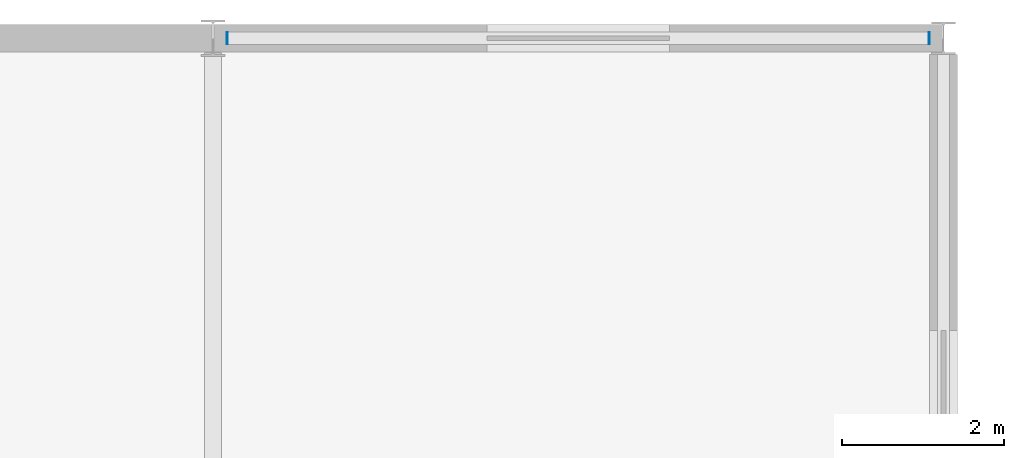
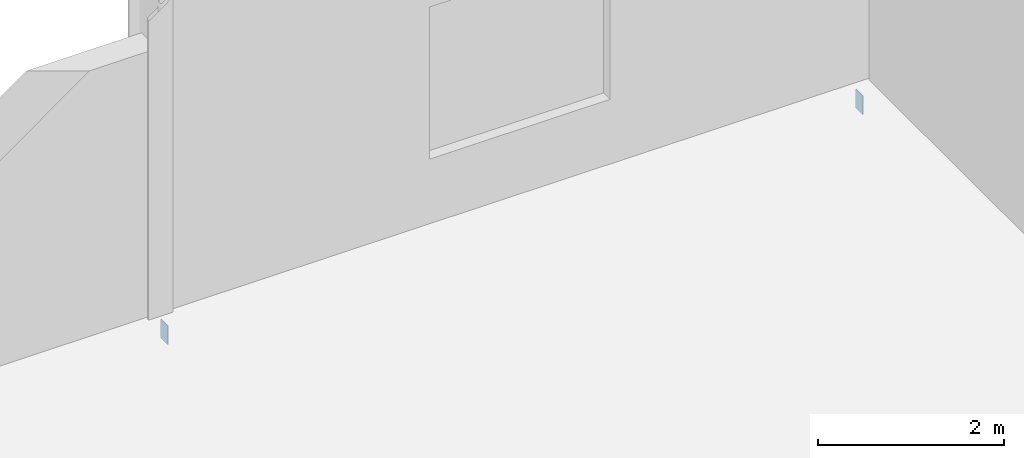
# One storey, part 59 of 73: 2 discrete accessories.
"""IFC4 building model written with IfcOpenShell, lengths in metres."""

from ifc_helpers import new_model, si_unit, direction, frame, origin, place, context, subcontext, project, spatial, polyline, outline, extrude, material, layer, layer_set, type_object, element, save


model = new_model("IFC4")

# Units and contexts
model_context = context("Model", 3, precision=1e-05, world=origin(), true_north=direction((0.0, 1.0)))
body_context = subcontext(model_context, "Body", "Model", "MODEL_VIEW")
ifc_project = project(units=[si_unit("LENGTHUNIT", "METRE"), si_unit("AREAUNIT", "SQUARE_METRE"), si_unit("VOLUMEUNIT", "CUBIC_METRE"), si_unit("PLANEANGLEUNIT", "RADIAN"), si_unit("MASSUNIT", "GRAM", prefix="KILO")], contexts=[model_context])

# Site, building, storey
site_placement = place(None, origin())
site = spatial("IfcSite", under=ifc_project, at=site_placement, CompositionType="ELEMENT")
building_placement = place(site_placement, origin())
building = spatial("IfcBuilding", under=site, at=building_placement, Name="Kisiwana Market Hall", CompositionType="ELEMENT")
storey_placement = place(building_placement, frame((0.0, 0.0, 33.300048828125)))
storey = spatial("IfcBuildingStorey", under=building, at=storey_placement, Name="L07", CompositionType="ELEMENT", Elevation=33.300048828125)

# Discrete accessories
ifc_material = material(Name="Steel S355", Category="steel")
ifc_layer = layer(ifc_material, 0.011962890625)
ifc_layer_set = layer_set([ifc_layer], Name="ACC-ENDCAP-STL")
discrete_accessory_type = type_object("IfcDiscreteAccessoryType", Name="ACC-ENDCAP-STL", PredefinedType="USERDEFINED", material=ifc_layer_set)
discrete_accessory_1_placement = place(storey_placement, frame((0.0, 0.0, -0.530029296875)))
element("IfcDiscreteAccessory", 1, at=discrete_accessory_1_placement, inside=storey, type_object=discrete_accessory_type, Name="End cap plate EC-0099", ObjectType="End cap plate", PredefinedType="USERDEFINED", context=body_context, shape_type="SweptSolid", body=[
    extrude(outline(polyline([(197.81884765625, 110.925048828125), (197.830810546875, 110.925048828125), (197.830810546875, 111.074951171875), (197.81884765625, 111.074951171875), (197.81884765625, 110.925048828125)])), origin(), (0.0, 0.0, 1.0), 0.25),
])
discrete_accessory_2_placement = place(storey_placement, frame((0.0, 0.0, -0.530029296875)))
element("IfcDiscreteAccessory", 2, at=discrete_accessory_2_placement, inside=storey, type_object=discrete_accessory_type, Name="End cap plate EC-0100", ObjectType="End cap plate", PredefinedType="USERDEFINED", context=body_context, shape_type="SweptSolid", body=[
    extrude(outline(polyline([(189.183349609375, 110.925048828125), (189.183349609375, 111.074951171875), (189.17138671875, 111.074951171875), (189.17138671875, 110.925048828125), (189.183349609375, 110.925048828125)])), origin(), (0.0, 0.0, 1.0), 0.25),
])

save(model, "model.ifc")
